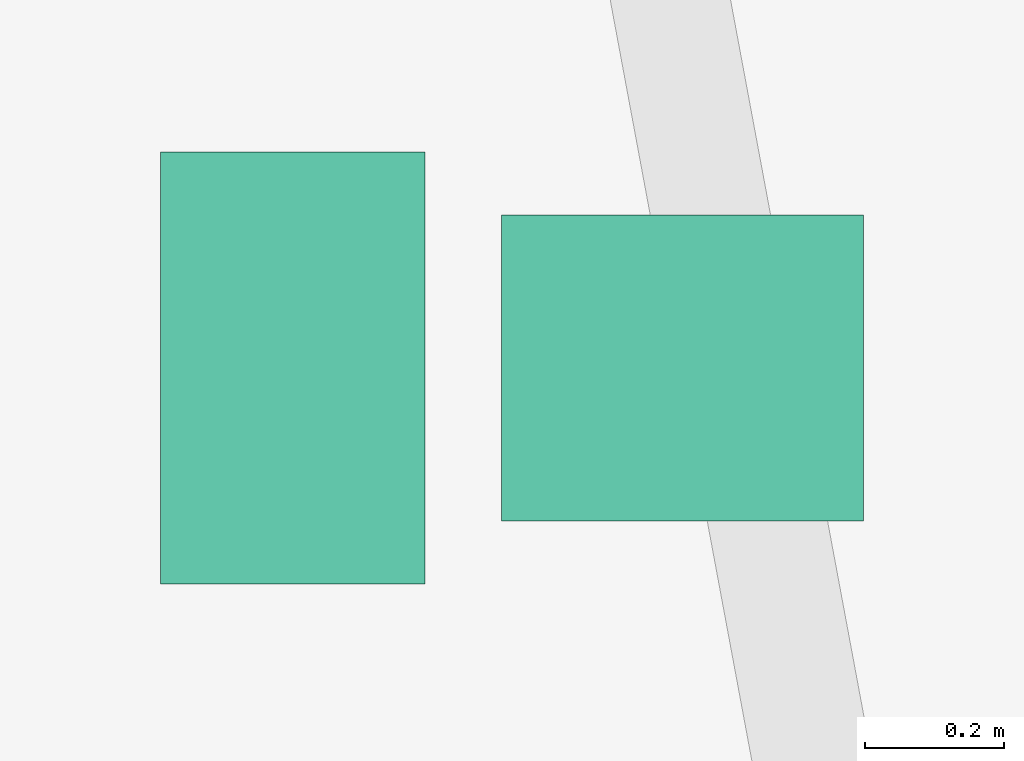
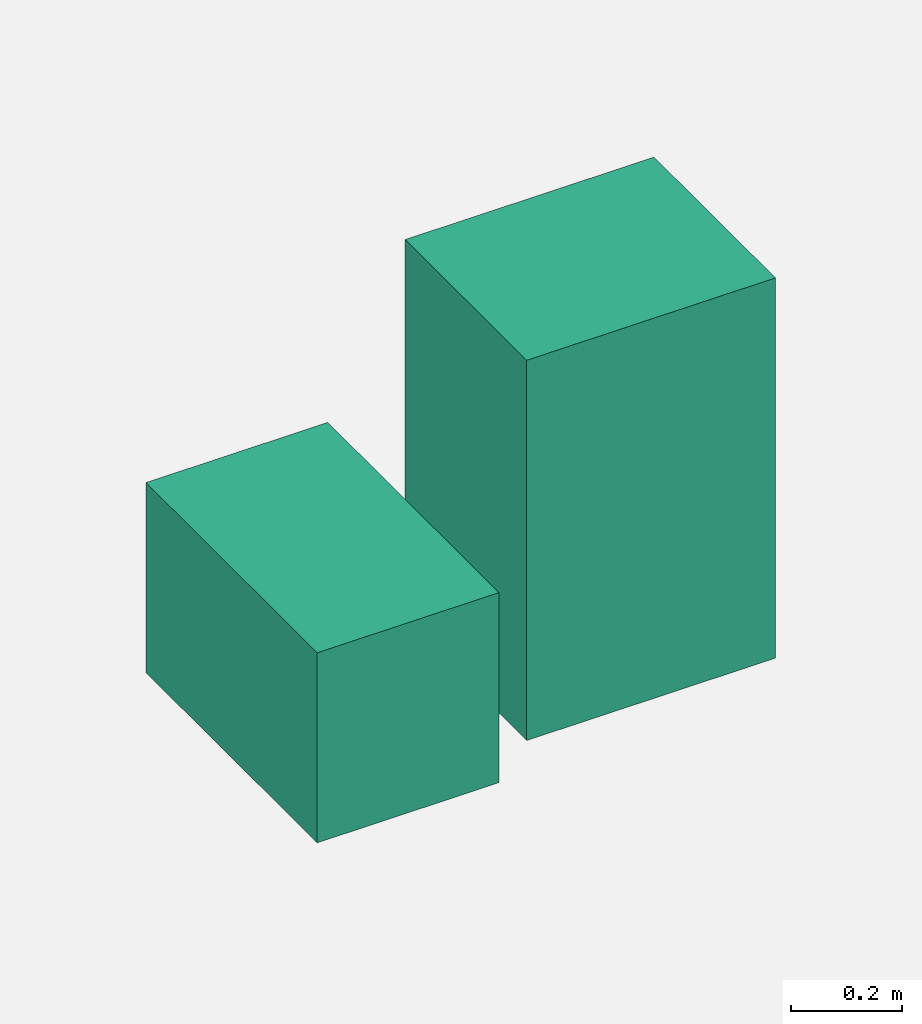
# One storey, part 12 of 12: 2 sanitary terminals.
"""IFC4 building model written with IfcOpenShell, lengths in metres."""

from ifc_helpers import new_model, si_unit, direction, frame, origin, origin_2d, place, context, subcontext, project, spatial, rectangle, extrude, source, transform, mapped, material, type_object, element, save


model = new_model("IFC4")

# Units and contexts
model_context = context("Model", 3, precision=1e-05, world=origin(), true_north=direction((0.0, 1.0)))
body_context = subcontext(model_context, "Body", "Model", "MODEL_VIEW")
ifc_project = project(units=[si_unit("LENGTHUNIT", "METRE"), si_unit("AREAUNIT", "SQUARE_METRE"), si_unit("VOLUMEUNIT", "CUBIC_METRE"), si_unit("PLANEANGLEUNIT", "RADIAN"), si_unit("MASSUNIT", "GRAM", prefix="KILO")], contexts=[model_context])

# Site, building, storey
site_placement = place(None, origin())
site = spatial("IfcSite", under=ifc_project, at=site_placement, CompositionType="ELEMENT")
building_placement = place(site_placement, origin())
building = spatial("IfcBuilding", under=site, at=building_placement, Name="Qafzar Sky-Pleat Residences", CompositionType="ELEMENT")
storey_placement = place(building_placement, frame((0.0, 0.0, 184.199951171875)))
storey = spatial("IfcBuildingStorey", under=building, at=storey_placement, Name="L55", CompositionType="ELEMENT", Elevation=184.199951171875)

# Sanitary terminals
ifc_material = material(Name="Vitreous china sanitaryware")
sanitary_terminal_type_1 = type_object("IfcSanitaryTerminalType", Name="SAN-WC-PAN", PredefinedType="TOILETPAN", material=ifc_material)
shared_shape_1 = source(origin(), body_context, "Body", "SweptSolid", [
    extrude(rectangle(XDim=0.3798828125, YDim=0.6201171875, at=origin_2d()), origin(), (0.0, 0.0, 1.0), 0.419921875),
])
sanitary_terminal_1_placement = place(storey_placement, frame((40.5244140625, 29.34912109375, 0.0), z_axis=(0.0, 0.0, 1.0), x_axis=(1.0, 0.0, 0.0)))
element("IfcSanitaryTerminal", 1, at=sanitary_terminal_1_placement, inside=storey, type_object=sanitary_terminal_type_1, Name="L55 Accessible Shared Washroom WC Pan", PredefinedType="TOILETPAN", context=body_context, shape_type="MappedRepresentation", body=[
    mapped(shared_shape_1, transform((0.0, 0.0, 0.0), x_axis=(1.0, 0.0, 0.0), y_axis=(0.0, 1.0, 0.0), z_axis=(0.0, 0.0, 1.0), scale=1.0)),
])
sanitary_terminal_type_2 = type_object("IfcSanitaryTerminalType", Name="SAN-BASIN", PredefinedType="WASHHANDBASIN", material=ifc_material)
shared_shape_2 = source(origin(), body_context, "Body", "SweptSolid", [
    extrude(rectangle(XDim=0.52001953125, YDim=0.43994140625, at=origin_2d()), origin(), (0.0, 0.0, 1.0), 0.840087890625),
])
sanitary_terminal_2_placement = place(storey_placement, frame((41.084228515625, 29.34912109375, 0.0), z_axis=(0.0, 0.0, 1.0), x_axis=(1.0, 0.0, 0.0)))
element("IfcSanitaryTerminal", 2, at=sanitary_terminal_2_placement, inside=storey, type_object=sanitary_terminal_type_2, Name="L55 Accessible Shared Washroom Pedestal Washbasin", PredefinedType="WASHHANDBASIN", context=body_context, shape_type="MappedRepresentation", body=[
    mapped(shared_shape_2, transform((0.0, 0.0, 0.0), x_axis=(1.0, 0.0, 0.0), y_axis=(0.0, 1.0, 0.0), z_axis=(0.0, 0.0, 1.0), scale=1.0)),
])

save(model, "model.ifc")
